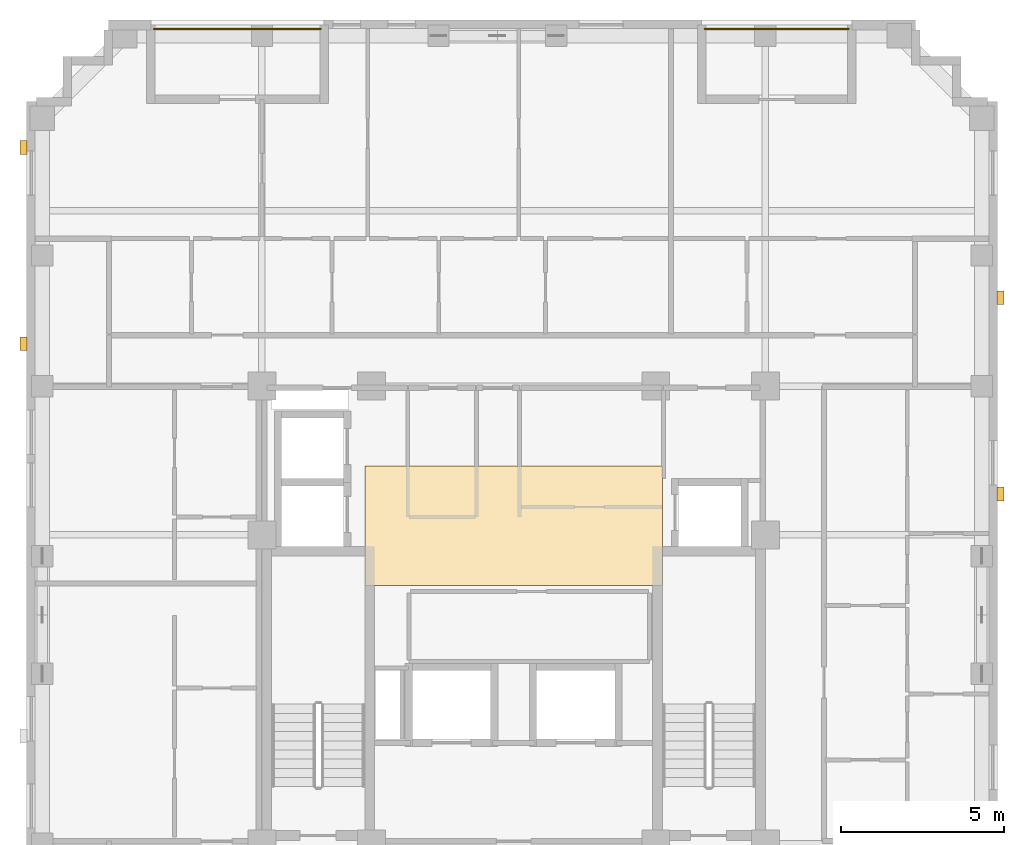
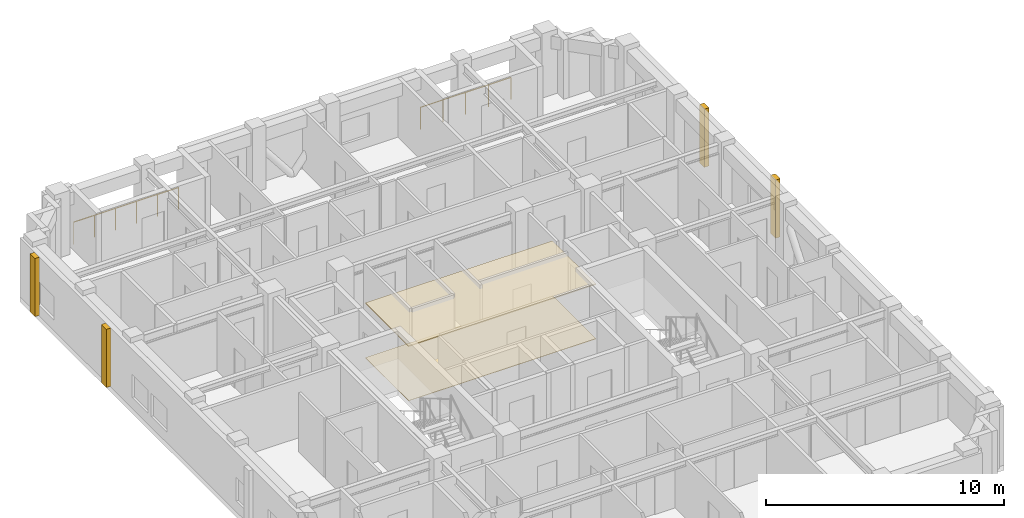
# One storey, part 10 of 10: 6 coverings, 2 railings.
"""IFC4 building model written with IfcOpenShell, lengths in metres."""

from ifc_helpers import new_model, si_unit, derived_unit, direction, frame, origin, origin_2d, place, context, subcontext, project, spatial, polyline, rectangle, circle, outline, extrude, material, layer, layer_set, type_object, element, save


model = new_model("IFC4")

# Units and contexts
model_context = context("Model", 3, precision=1e-05, world=origin(), true_north=direction((0.0, 1.0)))
body_context = subcontext(model_context, "Body", "Model", "MODEL_VIEW")
ifc_project = project(units=[si_unit("LENGTHUNIT", "METRE"), si_unit("AREAUNIT", "SQUARE_METRE"), si_unit("VOLUMEUNIT", "CUBIC_METRE"), si_unit("PLANEANGLEUNIT", "RADIAN"), si_unit("MASSUNIT", "GRAM", prefix="KILO"), derived_unit("THERMALTRANSMITTANCEUNIT", [(si_unit("MASSUNIT", "GRAM", prefix="KILO"), 1), (si_unit("TIMEUNIT", "SECOND"), -3), (si_unit("THERMODYNAMICTEMPERATUREUNIT", "KELVIN"), -1)])], contexts=[model_context])

# Site, building, storey
site_placement = place(None, origin())
site = spatial("IfcSite", under=ifc_project, at=site_placement, CompositionType="ELEMENT")
building_placement = place(site_placement, origin())
building = spatial("IfcBuilding", under=site, at=building_placement, Name="Korrvale Station Residences", CompositionType="ELEMENT")
storey_placement = place(building_placement, frame((0.0, 0.0, 204.10009765625)))
storey = spatial("IfcBuildingStorey", under=building, at=storey_placement, Name="L59", CompositionType="ELEMENT", Elevation=204.10009765625)

# Coverings
ifc_material_1 = material(Name="Perforated acoustic mineral-fibre suspended ceiling", Category="gypsum")
ifc_layer_1 = layer(ifc_material_1, 0.050048828125, Name="Perforated acoustic mineral-fibre suspended ceiling")
ifc_layer_set_1 = layer_set([ifc_layer_1], Name="Perforated acoustic mineral-fibre suspended ceiling")
covering_type_1 = type_object("IfcCoveringType", Name="COV-CLG-AC60", PredefinedType="CEILING", material=ifc_layer_set_1)
covering_1_placement = place(storey_placement, frame((0.0, 0.0, 2.789794921875)))
element("IfcCovering", 1, at=covering_1_placement, inside=storey, type_object=covering_type_1, Name="L59 Elevator Lobby Acoustic Ceiling", PredefinedType="CEILING", context=body_context, shape_type="SweptSolid", body=[
    extrude(outline(polyline([(20.949951171875, 22.89990234375), (30.050048828125, 22.89990234375), (30.050048828125, 26.550048828125), (20.949951171875, 26.550048828125), (20.949951171875, 22.89990234375)])), origin(), (0.0, 0.0, 1.0), 0.050048828125),
])
ifc_material_2 = material(Name="Polished quartz-terrazzo lobby flooring", Category="masonry")
ifc_layer_2 = layer(ifc_material_2, 0.02001953125, Name="Polished quartz-terrazzo lobby flooring")
ifc_layer_set_2 = layer_set([ifc_layer_2], Name="Polished quartz-terrazzo lobby flooring")
covering_type_2 = type_object("IfcCoveringType", Name="COV-FLR-TER20", PredefinedType="FLOORING", material=ifc_layer_set_2)
covering_2_placement = place(storey_placement, origin())
element("IfcCovering", 2, at=covering_2_placement, inside=storey, type_object=covering_type_2, Name="L59 Elevator Lobby Terrazzo Flooring", PredefinedType="FLOORING", context=body_context, shape_type="SweptSolid", body=[
    extrude(outline(polyline([(20.949951171875, 22.89990234375), (30.050048828125, 22.89990234375), (30.050048828125, 26.550048828125), (20.949951171875, 26.550048828125), (20.949951171875, 22.89990234375)])), origin(), (0.0, 0.0, 1.0), 0.02001953125),
])
ifc_material_3 = material(Name="Architectural precast concrete C45/55", Category="concrete")
ifc_layer_3 = layer(ifc_material_3, 0.219970703125, Name="Architectural precast concrete C45/55")
ifc_layer_set_3 = layer_set([ifc_layer_3], Name="Architectural precast concrete C45/55")
covering_type_3 = type_object("IfcCoveringType", Name="COV-PIER-400", PredefinedType="CLADDING", material=ifc_layer_set_3)
for number, where, z_axis, x_axis, name in (
    (3, (10.510009765625, 30.300048828125, 0.02490234375), (0.0, 0.0, 1.0), (0.0, 1.0, 0.0), "L59 Architectural Precast Facade Pier 04"),
    (4, (10.510009765625, 36.300048828125, 0.02490234375), (0.0, 0.0, 1.0), (0.0, 1.0, 0.0), "L59 Architectural Precast Facade Pier 05"),
    (5, (40.389892578125, 31.699951171875, 0.02490234375), (0.0, 0.0, 1.0), (0.0, 1.0, 0.0), "L59 Architectural Precast Facade Pier 06"),
    (6, (40.389892578125, 25.699951171875, 0.02490234375), (0.0, 0.0, 1.0), (0.0, 1.0, 0.0), "L59 Architectural Precast Facade Pier 07"),
):
    element("IfcCovering", number, at=place(storey_placement, frame(where, z_axis=z_axis, x_axis=x_axis)), inside=storey, type_object=covering_type_3, Name=name, PredefinedType="CLADDING", context=body_context, shape_type="SweptSolid", body=[
        extrude(rectangle(XDim=0.419921875, YDim=0.219970703125, at=origin_2d()), origin(), (0.0, 0.0, 1.0), 2.989990234375),
    ])

# Railings
ifc_material_4 = material(Name="Powder-coated aluminium picket loggia guard", Category="aluminium")
railing_type = type_object("IfcRailingType", Name="RLG-BAL-1150", PredefinedType="GUARDRAIL", material=ifc_material_4)
railing_1_placement = place(storey_placement, frame((14.5, 39.929931640625, 0.0)))
element("IfcRailing", 7, at=railing_1_placement, inside=storey, type_object=railing_type, Name="L59 Recessed Loggia Guardrail BAL-L59-N2", PredefinedType="GUARDRAIL", context=body_context, shape_type="SweptSolid", body=[
    extrude(circle(Radius=0.02392578125, at=origin_2d()), frame((0.0, 0.0, 1.1259765625), z_axis=(1.0, 0.0, 0.0), x_axis=(0.0, 1.0, 0.0)), (0.0, 0.0, 1.0), 5.10009765625),
    extrude(circle(Radius=0.02099609375, at=origin_2d()), origin(), (0.0, 0.0, 1.0), 1.101806640625),
    extrude(circle(Radius=0.02099609375, at=origin_2d()), frame((1.02001953125, 0.0, 0.0)), (0.0, 0.0, 1.0), 1.101806640625),
    extrude(circle(Radius=0.02099609375, at=origin_2d()), frame((2.0400390625, 0.0, 0.0)), (0.0, 0.0, 1.0), 1.101806640625),
    extrude(circle(Radius=0.02099609375, at=origin_2d()), frame((3.06005859375, 0.0, 0.0)), (0.0, 0.0, 1.0), 1.101806640625),
    extrude(circle(Radius=0.02099609375, at=origin_2d()), frame((4.080078125, 0.0, 0.0)), (0.0, 0.0, 1.0), 1.101806640625),
    extrude(circle(Radius=0.02099609375, at=origin_2d()), frame((5.10009765625, 0.0, 0.0)), (0.0, 0.0, 1.0), 1.101806640625),
])
railing_2_placement = place(storey_placement, frame((31.35009765625, 39.929931640625, 0.0)))
element("IfcRailing", 8, at=railing_2_placement, inside=storey, type_object=railing_type, Name="L59 Recessed Loggia Guardrail BAL-L59-N1", PredefinedType="GUARDRAIL", context=body_context, shape_type="SweptSolid", body=[
    extrude(circle(Radius=0.02392578125, at=origin_2d()), frame((0.0, 0.0, 1.1259765625), z_axis=(1.0, 0.0, 0.0), x_axis=(0.0, 1.0, 0.0)), (0.0, 0.0, 1.0), 4.39990234375),
    extrude(circle(Radius=0.02099609375, at=origin_2d()), origin(), (0.0, 0.0, 1.0), 1.101806640625),
    extrude(circle(Radius=0.02099609375, at=origin_2d()), frame((1.10009765625, 0.0, 0.0)), (0.0, 0.0, 1.0), 1.101806640625),
    extrude(circle(Radius=0.02099609375, at=origin_2d()), frame((2.199951171875, 0.0, 0.0)), (0.0, 0.0, 1.0), 1.101806640625),
    extrude(circle(Radius=0.02099609375, at=origin_2d()), frame((3.2998046875, 0.0, 0.0)), (0.0, 0.0, 1.0), 1.101806640625),
    extrude(circle(Radius=0.02099609375, at=origin_2d()), frame((4.39990234375, 0.0, 0.0)), (0.0, 0.0, 1.0), 1.101806640625),
])

save(model, "model.ifc")
